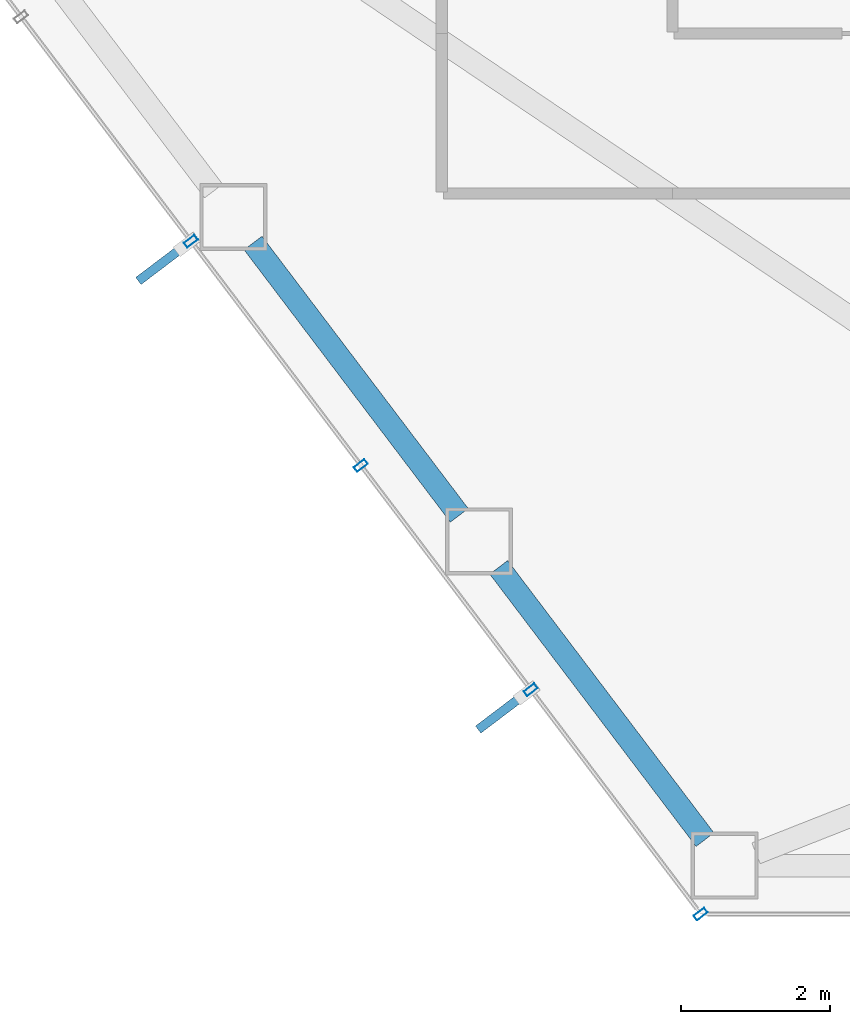
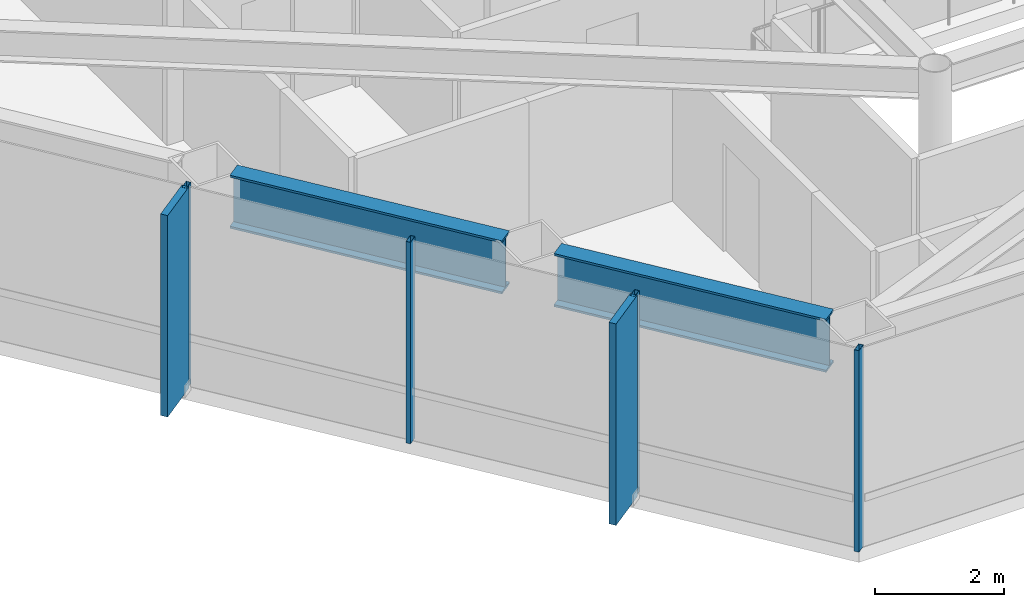
# One storey, part 2 of 24: 6 members, 2 beams, 1 element without a shape of its own.
"""IFC4 building model written with IfcOpenShell, lengths in metres."""

from ifc_helpers import new_model, si_unit, direction, frame, origin, origin_2d, place, context, subcontext, project, spatial, rectangle, hollow_rectangle, i_section, extrude, material, layer, layer_set, material_profile, profile_set, type_object, element, aggregate, save


model = new_model("IFC4")

# Units and contexts
model_context = context("Model", 3, precision=1e-05, world=origin(), true_north=direction((0.0, 1.0)))
body_context = subcontext(model_context, "Body", "Model", "MODEL_VIEW")
ifc_project = project(units=[si_unit("LENGTHUNIT", "METRE"), si_unit("AREAUNIT", "SQUARE_METRE"), si_unit("VOLUMEUNIT", "CUBIC_METRE"), si_unit("PLANEANGLEUNIT", "RADIAN"), si_unit("MASSUNIT", "GRAM", prefix="KILO")], contexts=[model_context])

# Site, building, storey
site_placement = place(None, origin())
site = spatial("IfcSite", under=ifc_project, at=site_placement, CompositionType="ELEMENT")
building_placement = place(site_placement, origin())
building = spatial("IfcBuilding", under=site, at=building_placement, Name="Zarrinselat Tower", CompositionType="ELEMENT")
storey_placement = place(building_placement, frame((0.0, 0.0, 96.89990234375)))
storey = spatial("IfcBuildingStorey", under=building, at=storey_placement, Name="L23", CompositionType="ELEMENT", Elevation=96.89990234375)

# Beams
ifc_material_1 = material(Name="Steel S460M", Category="steel")
ifc_material_profile_1 = material_profile(ifc_material_1, i_section(OverallWidth=0.302001953125, OverallDepth=1.008056640625, WebThickness=0.02099609375, FlangeThickness=0.0400390625, at=origin_2d()), Name="HEM 1000")
ifc_profile_set_1 = profile_set([ifc_material_profile_1], Name="Steel S460M")
beam_type = type_object("IfcBeamType", Name="BM-HEM1000", PredefinedType="BEAM", material=ifc_profile_set_1)
for number, where, z_axis, x_axis, name in (
    (1, (22.9150390625, 27.336669921875, 3.316162109375), (0.603833098178, -0.797110776206, 0.0), (0.797110776206, 0.603833098178, 0.0), "L23 Perimeter Spandrel Girder SP08"),
    (2, (26.21435546875, 22.981689453125, 3.316162109375), (0.603833098178, -0.797110776206, 0.0), (0.797110776206, 0.603833098178, 0.0), "L23 Perimeter Spandrel Girder SP09"),
):
    element("IfcBeam", number, at=place(storey_placement, frame(where, z_axis=z_axis, x_axis=x_axis)), inside=storey, type_object=beam_type, Name=name, PredefinedType="BEAM", context=body_context, shape_type="SweptSolid", body=[
        extrude(i_section(OverallWidth=0.302001953125, OverallDepth=1.008056640625, WebThickness=0.02099609375, FlangeThickness=0.0400390625, at=origin_2d()), origin(), (0.0, 0.0, 1.0), 4.587890625),
    ])

# Curtain wall, members
ifc_material_2 = material(Name="Extruded Aluminium Alloy EN AW-6063 T6", Category="aluminium")
ifc_layer = layer(ifc_material_2, 0.18505859375)
ifc_layer_set = layer_set([ifc_layer], Name="Extruded Aluminium Alloy EN AW-6063 T6")
curtain_wall_type = type_object("IfcCurtainWallType", Name="CWS-OFF", PredefinedType="NOTDEFINED", material=ifc_layer_set)
curtain_wall_placement = place(storey_placement, origin())
curtain_wall = element("IfcCurtainWall", 3, at=curtain_wall_placement, inside=storey, type_object=curtain_wall_type, Name="L23 Unitised Curtain Wall CW-L23-E03", PredefinedType="NOTDEFINED")
ifc_material_3 = material(Name="Extruded Aluminium Alloy EN AW-6063 T6", Category="aluminium")
ifc_material_profile_2 = material_profile(ifc_material_3, hollow_rectangle(XDim=0.080078125, YDim=0.179931640625, WallThickness=0.0048828125, at=origin_2d()), Name="RHS 180x80x5")
ifc_profile_set_2 = profile_set([ifc_material_profile_2], Name="Extruded Aluminium Alloy EN AW-6063 T6")
member_type_1 = type_object("IfcMemberType", Name="MEM-CW-MUL", PredefinedType="MULLION", material=ifc_profile_set_2)
member_1_placement = place(storey_placement, frame((22.081298828125, 27.36083984375, 0.0), z_axis=(0.0, 0.0, 1.0), x_axis=(0.603857772927, -0.797092083812, 0.0)))
member_1 = element("IfcMember", 4, at=member_1_placement, type_object=member_type_1, Name="CW-L23-E03 Mullion 3", PredefinedType="MULLION", context=body_context, shape_type="SweptSolid", body=[
    extrude(hollow_rectangle(XDim=0.080078125, YDim=0.179931640625, WallThickness=0.0048828125, at=origin_2d()), origin(), (0.0, 0.0, 1.0), 3.820068359375),
])
member_2_placement = place(storey_placement, frame((24.36279296875, 24.34912109375, 0.0), z_axis=(0.0, 0.0, 1.0), x_axis=(0.603857772927, -0.797092083812, 0.0)))
member_2 = element("IfcMember", 5, at=member_2_placement, type_object=member_type_1, Name="CW-L23-E03 Mullion 4", PredefinedType="MULLION", context=body_context, shape_type="SweptSolid", body=[
    extrude(hollow_rectangle(XDim=0.080078125, YDim=0.179931640625, WallThickness=0.0048828125, at=origin_2d()), origin(), (0.0, 0.0, 1.0), 3.820068359375),
])
member_3_placement = place(storey_placement, frame((26.64453125, 21.33740234375, 0.0), z_axis=(0.0, 0.0, 1.0), x_axis=(0.603857772927, -0.797092083812, 0.0)))
member_3 = element("IfcMember", 6, at=member_3_placement, type_object=member_type_1, Name="CW-L23-E03 Mullion 5", PredefinedType="MULLION", context=body_context, shape_type="SweptSolid", body=[
    extrude(hollow_rectangle(XDim=0.080078125, YDim=0.179931640625, WallThickness=0.0048828125, at=origin_2d()), origin(), (0.0, 0.0, 1.0), 3.820068359375),
])
member_4_placement = place(storey_placement, frame((28.926025390625, 18.32568359375, 0.0), z_axis=(0.0, 0.0, 1.0), x_axis=(0.603857772927, -0.797092083812, 0.0)))
member_4 = element("IfcMember", 7, at=member_4_placement, type_object=member_type_1, Name="CW-L23-E03 Mullion 6", PredefinedType="MULLION", context=body_context, shape_type="SweptSolid", body=[
    extrude(hollow_rectangle(XDim=0.080078125, YDim=0.179931640625, WallThickness=0.0048828125, at=origin_2d()), origin(), (0.0, 0.0, 1.0), 3.820068359375),
])
ifc_material_4 = material(Name="Honed Cream Travertine Stone", Category="masonry")
ifc_material_profile_3 = material_profile(ifc_material_4, rectangle(XDim=0.1201171875, YDim=0.85009765625, at=origin_2d()), Name="FIN 850x120")
ifc_profile_set_3 = profile_set([ifc_material_profile_3], Name="Honed Cream Travertine Stone")
member_type_2 = type_object("IfcMemberType", Name="MEM-STONE-FIN", PredefinedType="USERDEFINED", material=ifc_profile_set_3)
member_5_placement = place(storey_placement, frame((21.714599609375, 27.0830078125, 0.0), z_axis=(0.0, 0.0, 1.0), x_axis=(-0.603857772927, 0.797092083812, 0.0)))
member_5 = element("IfcMember", 8, at=member_5_placement, type_object=member_type_2, Name="L23 Stone Shading Fin CW-L23-E03-03", ObjectType="FIN", PredefinedType="USERDEFINED", context=body_context, shape_type="SweptSolid", body=[
    extrude(rectangle(XDim=0.1201171875, YDim=0.85009765625, at=origin_2d()), origin(), (0.0, 0.0, 1.0), 3.820068359375),
])
member_6_placement = place(storey_placement, frame((26.27783203125, 21.0595703125, 0.0), z_axis=(0.0, 0.0, 1.0), x_axis=(-0.603857772927, 0.797092083812, 0.0)))
member_6 = element("IfcMember", 9, at=member_6_placement, type_object=member_type_2, Name="L23 Stone Shading Fin CW-L23-E03-05", ObjectType="FIN", PredefinedType="USERDEFINED", context=body_context, shape_type="SweptSolid", body=[
    extrude(rectangle(XDim=0.1201171875, YDim=0.85009765625, at=origin_2d()), origin(), (0.0, 0.0, 1.0), 3.820068359375),
])
aggregate(curtain_wall, [member_1, member_5, member_2, member_3, member_6, member_4])

save(model, "model.ifc")
